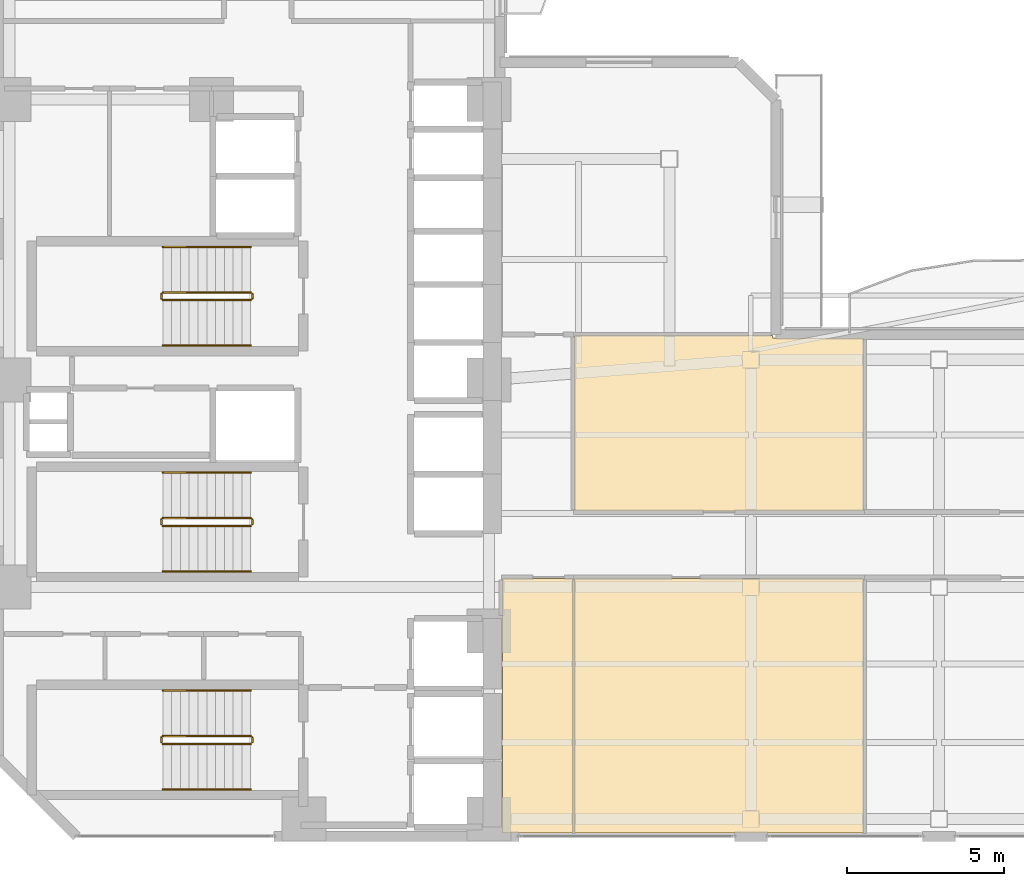
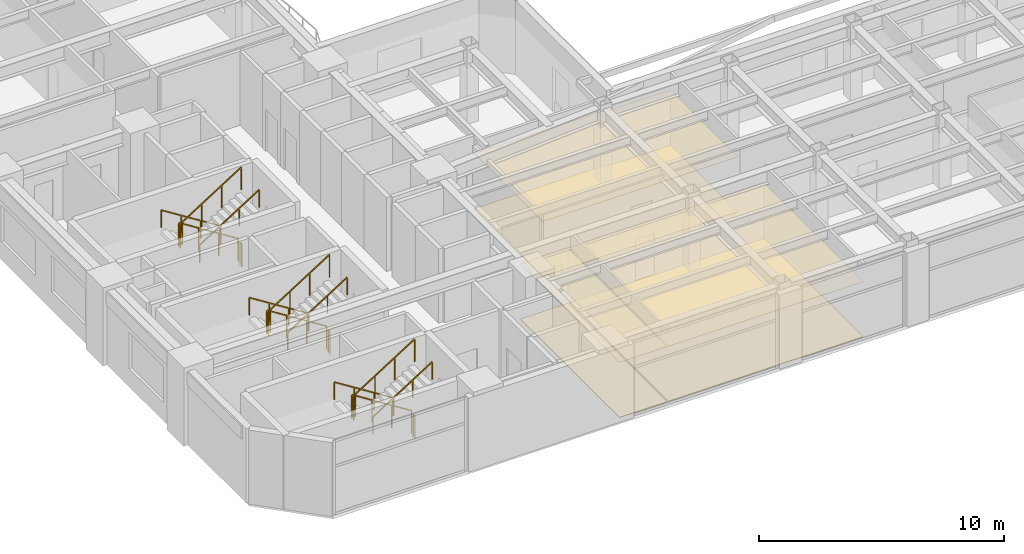
# One storey, part 14 of 17: 18 railings, 6 coverings.
"""IFC4 building model written with IfcOpenShell, lengths in metres."""

import ifcopenshell
import ifcopenshell.guid

model = None  # the IFC model being written
_history = None  # IfcOwnerHistory: only IFC2X3 demands one
_inside = {}  # id of a spatial element -> (the spatial element, [elements in it])
_under = {}  # id of a project, library or spatial element -> (it, [spatial elements below it])
_declared = {}  # id of a project -> (the project, [libraries it declares])
_typed = {}  # id of a type object -> (the type object, [elements of that type])
_made_of = {}  # id of a material, layer set ... -> (it, [elements and type objects made of it])


def new_model(schema):
    """Start an empty IFC model of exactly this schema.

    Asked for "IFC4X3", IfcOpenShell would pick the latest addendum, in which some entities
    have other attributes; the version numbers below select the first issue.
    IFC2X3 requires an IfcOwnerHistory on every rooted entity: one is made here for all.
    """
    global model, _history
    if schema == "IFC4X3":
        model = ifcopenshell.file(schema_version=(4, 3, 0, 0))
    else:
        model = ifcopenshell.file(schema=schema)
    _inside.clear()
    _under.clear()
    _declared.clear()
    _typed.clear()
    _made_of.clear()
    _history = None
    if model.schema == "IFC2X3":
        org = make("IfcOrganization", Name="unknown")
        user = make(
            "IfcPersonAndOrganization",
            ThePerson=make("IfcPerson", FamilyName="unknown"),
            TheOrganization=org,
        )
        app = make(
            "IfcApplication",
            ApplicationDeveloper=org,
            Version="unknown",
            ApplicationFullName="unknown",
            ApplicationIdentifier="unknown",
        )
        _history = make(
            "IfcOwnerHistory",
            OwningUser=user,
            OwningApplication=app,
            ChangeAction="ADDED",
            CreationDate=0,
        )
    return model


def make(cls, **values):
    """One entity of the class cls with the attributes given. An attribute that is None is left unset."""
    return model.create_entity(
        cls, **{name: value for name, value in values.items() if value is not None}
    )


def rooted(cls, **values):
    """An entity with a GlobalId (a new one), such as an element, a storey or a relation."""
    return make(cls, GlobalId=ifcopenshell.guid.new(), OwnerHistory=_history, **values)


def si_unit(unit_type, name, prefix=None):
    """IfcSIUnit, for example si_unit("LENGTHUNIT", "METRE", prefix="MILLI")."""
    return make("IfcSIUnit", UnitType=unit_type, Prefix=prefix, Name=name)


def assignment(units):
    """IfcUnitAssignment: the units of a project."""
    return None if units is None else make("IfcUnitAssignment", Units=units)


def point(xyz):
    """IfcCartesianPoint."""
    return None if xyz is None else make("IfcCartesianPoint", Coordinates=xyz)


def direction(xyz):
    """IfcDirection."""
    return None if xyz is None else make("IfcDirection", DirectionRatios=xyz)


def frame(location, z_axis=None, x_axis=None):
    """IfcAxis2Placement3D, a coordinate frame: its origin and axes. An axis left out is left unset."""
    return make(
        "IfcAxis2Placement3D",
        Location=point(location),
        Axis=direction(z_axis),
        RefDirection=direction(x_axis),
    )


def frame_2d(location, x_axis=None):
    """IfcAxis2Placement2D, a coordinate frame in the plane: its origin and x axis."""
    return make(
        "IfcAxis2Placement2D", Location=point(location), RefDirection=direction(x_axis)
    )


def origin():
    """The frame at (0, 0, 0) with its axes left unset."""
    return frame((0.0, 0.0, 0.0))


def origin_2d():
    """The frame at (0, 0) in the plane with its x axis left unset."""
    return frame_2d((0.0, 0.0))


def place(relative_to, where):
    """IfcLocalPlacement: puts the frame where relative to a parent placement (None: the world)."""
    return make(
        "IfcLocalPlacement", PlacementRelTo=relative_to, RelativePlacement=where
    )


def context(
    kind, dimensions, precision=None, world=None, true_north=None, identifier=None
):
    """IfcGeometricRepresentationContext, for example the 3D "Model" context."""
    return make(
        "IfcGeometricRepresentationContext",
        ContextIdentifier=identifier,
        ContextType=kind,
        CoordinateSpaceDimension=dimensions,
        Precision=precision,
        WorldCoordinateSystem=world,
        TrueNorth=true_north,
    )


def subcontext(parent, identifier, kind, view, scale=None):
    """IfcGeometricRepresentationSubContext, for example "Body" below "Model"."""
    return make(
        "IfcGeometricRepresentationSubContext",
        ContextIdentifier=identifier,
        ContextType=kind,
        ParentContext=parent,
        TargetScale=scale,
        TargetView=view,
    )


def project(units=None, contexts=None):
    """IfcProject with its units and contexts."""
    return rooted(
        "IfcProject",
        Name="project",
        RepresentationContexts=contexts,
        UnitsInContext=assignment(units),
    )


def spatial(cls, under=None, at=None, **own):
    """A site, building, storey or space (cls), placed at a placement, below another one or the project."""
    s = rooted(cls, ObjectPlacement=at, **own)
    if under is not None:
        _under.setdefault(under.id(), (under, []))[1].append(s)
    return s


def polyline(points):
    """IfcPolyline through the points."""
    return make("IfcPolyline", Points=[point(p) for p in points])


def profile(cls, at=None, kind="AREA", **sizes):
    """A parametric profile (cls). Its sizes go by their IFC names, for example OverallWidth=200.0."""
    return make(cls, ProfileType=kind, Position=at, **sizes)


def rectangle(**sizes):
    """IfcRectangleProfileDef."""
    return profile("IfcRectangleProfileDef", **sizes)


def outline(outer, holes=None, kind="AREA"):
    """IfcArbitraryClosedProfileDef: a profile drawn as a closed curve; with holes, ...WithVoids."""
    if holes is None:
        return make("IfcArbitraryClosedProfileDef", ProfileType=kind, OuterCurve=outer)
    return make(
        "IfcArbitraryProfileDefWithVoids",
        ProfileType=kind,
        OuterCurve=outer,
        InnerCurves=holes,
    )


def extrude(swept, where, along, depth):
    """IfcExtrudedAreaSolid: the profile swept, set in the frame where, extruded along a direction by depth."""
    return make(
        "IfcExtrudedAreaSolid",
        SweptArea=swept,
        Position=where,
        ExtrudedDirection=direction(along),
        Depth=depth,
    )


def shape(context_of_items, identifier, shape_type, items):
    """IfcShapeRepresentation: the items that make up one representation, for example the "Body"."""
    return make(
        "IfcShapeRepresentation",
        ContextOfItems=context_of_items,
        RepresentationIdentifier=identifier,
        RepresentationType=shape_type,
        Items=items,
    )


def material(Name=None, Category=None):
    """IfcMaterial."""
    return make("IfcMaterial", Name=Name, Category=Category)


def layer(
    of_material, thickness, ventilated=None, Name=None, Category=None, Priority=None
):
    """IfcMaterialLayer: one layer of a wall or slab, of a material (None: an air gap)."""
    return make(
        "IfcMaterialLayer",
        Material=of_material,
        LayerThickness=thickness,
        IsVentilated=ventilated,
        Name=Name,
        Category=Category,
        Priority=Priority,
    )


def layer_set(layers, Name=None):
    """IfcMaterialLayerSet."""
    return make("IfcMaterialLayerSet", MaterialLayers=layers, LayerSetName=Name)


def made_of(thing, what):
    """Note that an element or type object is made of a material, layer set ...; save() writes the relation."""
    if what is not None:
        _made_of.setdefault(what.id(), (what, []))[1].append(thing)
    return thing


def type_object(cls, material=None, **own):
    """A type object (cls), such as IfcWallType, which elements share."""
    return made_of(rooted(cls, **own), material)


def element(
    cls,
    number,
    at=None,
    inside=None,
    cuts=None,
    type_object=None,
    material=None,
    context=None,
    identifier="Body",
    shape_type=None,
    held_by="IfcProductDefinitionShape",
    body=None,
    shapes=None,
    **own,
):
    """One element of the class cls, such as IfcWall. Its Tag is "e" and its number.

    at: its placement. inside: the storey or other place that contains it. cuts: it is an
    opening in that element (IfcRelVoidsElement). A single representation is given by context,
    identifier, shape_type and body (its items); several are given by shapes. held_by: the class
    of the entity that holds the representations. save() writes the other relations.
    """
    e = rooted(cls, Tag="e%d" % number, ObjectPlacement=at, **own)
    if body is not None:
        shapes = [shape(context, identifier, shape_type, body)]
    if shapes is not None:
        e.Representation = make(held_by, Representations=shapes)
    if inside is not None:
        _inside.setdefault(inside.id(), (inside, []))[1].append(e)
    if cuts is not None:
        rooted(
            "IfcRelVoidsElement", RelatingBuildingElement=cuts, RelatedOpeningElement=e
        )
    if type_object is not None:
        _typed.setdefault(type_object.id(), (type_object, []))[1].append(e)
    return made_of(e, material)


def aggregate(whole, parts):
    """IfcRelAggregates: a whole, such as a stair, and the parts it consists of."""
    return rooted("IfcRelAggregates", RelatingObject=whole, RelatedObjects=parts)


def save(model, path):
    """Write the relations noted so far, then the file.

    IfcRelAggregates (storeys below a building ...), IfcRelContainedInSpatialStructure (elements
    in a storey), IfcRelDefinesByType, IfcRelAssociatesMaterial and IfcRelDeclares: one each for
    every whole, place, type object, material and project.
    """
    for whole, parts in _under.values():
        aggregate(whole, parts)
    for where, things in _inside.values():
        rooted(
            "IfcRelContainedInSpatialStructure",
            RelatedElements=things,
            RelatingStructure=where,
        )
    for kind, things in _typed.values():
        rooted("IfcRelDefinesByType", RelatedObjects=things, RelatingType=kind)
    for what, things in _made_of.values():
        rooted("IfcRelAssociatesMaterial", RelatedObjects=things, RelatingMaterial=what)
    for by, libraries in _declared.values():
        rooted("IfcRelDeclares", RelatingContext=by, RelatedDefinitions=libraries)
    model.write(path)


model = new_model("IFC4")

# Units and contexts
model_context = context("Model", 3, precision=1e-05, world=origin(), true_north=direction((0.0, 1.0)))
body_context = subcontext(model_context, "Body", "Model", "MODEL_VIEW")
ifc_project = project(units=[si_unit("LENGTHUNIT", "METRE"), si_unit("AREAUNIT", "SQUARE_METRE"), si_unit("VOLUMEUNIT", "CUBIC_METRE"), si_unit("PLANEANGLEUNIT", "RADIAN"), si_unit("MASSUNIT", "GRAM", prefix="KILO")], contexts=[model_context])

# Site, building, storey
site_placement = place(None, origin())
site = spatial("IfcSite", under=ifc_project, at=site_placement, CompositionType="ELEMENT")
building_placement = place(site_placement, origin())
building = spatial("IfcBuilding", under=site, at=building_placement, Name="Mawjaban Terraces University", CompositionType="ELEMENT")
storey_placement = place(building_placement, frame((0.0, 0.0, 85.60009765625)))
storey = spatial("IfcBuildingStorey", under=building, at=storey_placement, Name="L20", CompositionType="ELEMENT", Elevation=85.60009765625)

# Coverings
ifc_material_1 = material(Name="Acoustic mineral fibre ceiling tile", Category="masonry")
ifc_layer_1 = layer(ifc_material_1, 0.02001953125)
ifc_layer_set_1 = layer_set([ifc_layer_1], Name="Acoustic mineral fibre ceiling tile")
covering_type_1 = type_object("IfcCoveringType", Name="AcousticMineralCeiling_20", PredefinedType="CEILING", material=ifc_layer_set_1)
covering_1_placement = place(storey_placement, frame((0.0, 0.0, 2.75)))
element("IfcCovering", 1, at=covering_1_placement, inside=storey, type_object=covering_type_1, Name="L20 Tutorial Room 1 Acoustic Ceiling", PredefinedType="CEILING", context=body_context, shape_type="SweptSolid", body=[
    extrude(outline(polyline([(38.080078125, 0.114990234375), (40.320068359375, 0.114990234375), (40.320068359375, 8.219970703125), (38.080078125, 8.219970703125), (38.080078125, 0.114990234375)])), origin(), (0.0, 0.0, 1.0), 0.02001953125),
])
covering_2_placement = place(storey_placement, frame((0.0, 0.0, 2.75)))
element("IfcCovering", 2, at=covering_2_placement, inside=storey, type_object=covering_type_1, Name="L20 Conference Room 2 Acoustic Ceiling", PredefinedType="CEILING", context=body_context, shape_type="SweptSolid", body=[
    extrude(outline(polyline([(40.3798828125, 0.114990234375), (49.589111328125, 0.114990234375), (49.589111328125, 8.219970703125), (40.3798828125, 8.219970703125), (40.3798828125, 0.114990234375)])), origin(), (0.0, 0.0, 1.0), 0.02001953125),
])
covering_3_placement = place(storey_placement, frame((0.0, 0.0, 2.75)))
element("IfcCovering", 3, at=covering_3_placement, inside=storey, type_object=covering_type_1, Name="L20 Classroom 3 Acoustic Ceiling", PredefinedType="CEILING", context=body_context, shape_type="SweptSolid", body=[
    extrude(outline(polyline([(49.589111328125, 15.885009765625), (46.68505859375, 15.885009765625), (46.68505859375, 15.969970703125), (40.3798828125, 15.969970703125), (40.3798828125, 10.3798828125), (49.589111328125, 10.3798828125), (49.589111328125, 15.885009765625)])), origin(), (0.0, 0.0, 1.0), 0.02001953125),
])

# Railings
ifc_material_2 = material(Name="Brushed stainless steel 316", Category="steel")
railing_type_1 = type_object("IfcRailingType", Name="StairWallHandrail_900", PredefinedType="HANDRAIL", material=ifc_material_2)
railing_1_placement = place(storey_placement, frame((30.050048828125, 4.64990234375, 0.17724609375)))
element("IfcRailing", 4, at=railing_1_placement, inside=storey, type_object=railing_type_1, Name="L20 ST-1 stair handrail 1", PredefinedType="HANDRAIL", context=body_context, shape_type="SweptSolid", body=[
    extrude(rectangle(XDim=0.048095703125, YDim=0.048095703125, at=origin_2d()), frame((0.0, 0.0, 0.8759765625), z_axis=(-0.844908973607, 0.0, 0.534910110503), x_axis=(0.0, -1.0, 0.0)), (0.0, 0.0, 1.0), 3.31396484375),
    extrude(rectangle(XDim=0.0419921875, YDim=0.0419921875, at=origin_2d()), origin(), (0.0, 0.0, 1.0), 0.851806640625),
    extrude(rectangle(XDim=0.0419921875, YDim=0.0419921875, at=origin_2d()), frame((-0.933349609375, 0.0, 0.5908203125)), (0.0, 0.0, 1.0), 0.851806640625),
    extrude(rectangle(XDim=0.0419921875, YDim=0.0419921875, at=origin_2d()), frame((-1.86669921875, 0.0, 1.181884765625)), (0.0, 0.0, 1.0), 0.851806640625),
    extrude(rectangle(XDim=0.0419921875, YDim=0.0419921875, at=origin_2d()), frame((-2.800048828125, 0.0, 1.772705078125)), (0.0, 0.0, 1.0), 0.851806640625),
])
railing_2_placement = place(storey_placement, frame((27.25, 1.5, 2.127197265625)))
element("IfcRailing", 5, at=railing_2_placement, inside=storey, type_object=railing_type_1, Name="L20 ST-1 stair handrail 2", PredefinedType="HANDRAIL", context=body_context, shape_type="SweptSolid", body=[
    extrude(rectangle(XDim=0.048095703125, YDim=0.048095703125, at=origin_2d()), frame((0.0, 0.0, 0.8759765625), z_axis=(0.844908973607, 0.0, 0.534910110503), x_axis=(0.0, 1.0, 0.0)), (0.0, 0.0, 1.0), 3.31396484375),
    extrude(rectangle(XDim=0.0419921875, YDim=0.0419921875, at=origin_2d()), origin(), (0.0, 0.0, 1.0), 0.851806640625),
    extrude(rectangle(XDim=0.0419921875, YDim=0.0419921875, at=origin_2d()), frame((0.933349609375, 0.0, 0.5908203125)), (0.0, 0.0, 1.0), 0.851806640625),
    extrude(rectangle(XDim=0.0419921875, YDim=0.0419921875, at=origin_2d()), frame((1.86669921875, 0.0, 1.181884765625)), (0.0, 0.0, 1.0), 0.851806640625),
    extrude(rectangle(XDim=0.0419921875, YDim=0.0419921875, at=origin_2d()), frame((2.800048828125, 0.0, 1.772705078125)), (0.0, 0.0, 1.0), 0.851806640625),
])
railing_3_placement = place(storey_placement, frame((30.050048828125, 18.800048828125, 0.17724609375)))
element("IfcRailing", 6, at=railing_3_placement, inside=storey, type_object=railing_type_1, Name="L20 ST-2 stair handrail 1", PredefinedType="HANDRAIL", context=body_context, shape_type="SweptSolid", body=[
    extrude(rectangle(XDim=0.048095703125, YDim=0.048095703125, at=origin_2d()), frame((0.0, 0.0, 0.8759765625), z_axis=(-0.844908973607, 0.0, 0.534910110503), x_axis=(0.0, -1.0, 0.0)), (0.0, 0.0, 1.0), 3.31396484375),
    extrude(rectangle(XDim=0.0419921875, YDim=0.0419921875, at=origin_2d()), origin(), (0.0, 0.0, 1.0), 0.851806640625),
    extrude(rectangle(XDim=0.0419921875, YDim=0.0419921875, at=origin_2d()), frame((-0.933349609375, 0.0, 0.5908203125)), (0.0, 0.0, 1.0), 0.851806640625),
    extrude(rectangle(XDim=0.0419921875, YDim=0.0419921875, at=origin_2d()), frame((-1.86669921875, 0.0, 1.181884765625)), (0.0, 0.0, 1.0), 0.851806640625),
    extrude(rectangle(XDim=0.0419921875, YDim=0.0419921875, at=origin_2d()), frame((-2.800048828125, 0.0, 1.772705078125)), (0.0, 0.0, 1.0), 0.851806640625),
])
railing_4_placement = place(storey_placement, frame((27.25, 15.64990234375, 2.127197265625)))
element("IfcRailing", 7, at=railing_4_placement, inside=storey, type_object=railing_type_1, Name="L20 ST-2 stair handrail 2", PredefinedType="HANDRAIL", context=body_context, shape_type="SweptSolid", body=[
    extrude(rectangle(XDim=0.048095703125, YDim=0.048095703125, at=origin_2d()), frame((0.0, 0.0, 0.8759765625), z_axis=(0.844908973607, 0.0, 0.534910110503), x_axis=(0.0, 1.0, 0.0)), (0.0, 0.0, 1.0), 3.31396484375),
    extrude(rectangle(XDim=0.0419921875, YDim=0.0419921875, at=origin_2d()), origin(), (0.0, 0.0, 1.0), 0.851806640625),
    extrude(rectangle(XDim=0.0419921875, YDim=0.0419921875, at=origin_2d()), frame((0.933349609375, 0.0, 0.5908203125)), (0.0, 0.0, 1.0), 0.851806640625),
    extrude(rectangle(XDim=0.0419921875, YDim=0.0419921875, at=origin_2d()), frame((1.86669921875, 0.0, 1.181884765625)), (0.0, 0.0, 1.0), 0.851806640625),
    extrude(rectangle(XDim=0.0419921875, YDim=0.0419921875, at=origin_2d()), frame((2.800048828125, 0.0, 1.772705078125)), (0.0, 0.0, 1.0), 0.851806640625),
])
railing_5_placement = place(storey_placement, frame((30.050048828125, 11.60009765625, 0.17724609375)))
element("IfcRailing", 8, at=railing_5_placement, inside=storey, type_object=railing_type_1, Name="L20 ST-3 stair handrail 1", PredefinedType="HANDRAIL", context=body_context, shape_type="SweptSolid", body=[
    extrude(rectangle(XDim=0.048095703125, YDim=0.048095703125, at=origin_2d()), frame((0.0, 0.0, 0.8759765625), z_axis=(-0.844908973607, 0.0, 0.534910110503), x_axis=(0.0, -1.0, 0.0)), (0.0, 0.0, 1.0), 3.31396484375),
    extrude(rectangle(XDim=0.0419921875, YDim=0.0419921875, at=origin_2d()), origin(), (0.0, 0.0, 1.0), 0.851806640625),
    extrude(rectangle(XDim=0.0419921875, YDim=0.0419921875, at=origin_2d()), frame((-0.933349609375, 0.0, 0.5908203125)), (0.0, 0.0, 1.0), 0.851806640625),
    extrude(rectangle(XDim=0.0419921875, YDim=0.0419921875, at=origin_2d()), frame((-1.86669921875, 0.0, 1.181884765625)), (0.0, 0.0, 1.0), 0.851806640625),
    extrude(rectangle(XDim=0.0419921875, YDim=0.0419921875, at=origin_2d()), frame((-2.800048828125, 0.0, 1.772705078125)), (0.0, 0.0, 1.0), 0.851806640625),
])
railing_6_placement = place(storey_placement, frame((27.25, 8.449951171875, 2.127197265625)))
element("IfcRailing", 9, at=railing_6_placement, inside=storey, type_object=railing_type_1, Name="L20 ST-3 stair handrail 2", PredefinedType="HANDRAIL", context=body_context, shape_type="SweptSolid", body=[
    extrude(rectangle(XDim=0.048095703125, YDim=0.048095703125, at=origin_2d()), frame((0.0, 0.0, 0.8759765625), z_axis=(0.844908973607, 0.0, 0.534910110503), x_axis=(0.0, 1.0, 0.0)), (0.0, 0.0, 1.0), 3.31396484375),
    extrude(rectangle(XDim=0.0419921875, YDim=0.0419921875, at=origin_2d()), origin(), (0.0, 0.0, 1.0), 0.851806640625),
    extrude(rectangle(XDim=0.0419921875, YDim=0.0419921875, at=origin_2d()), frame((0.933349609375, 0.0, 0.5908203125)), (0.0, 0.0, 1.0), 0.851806640625),
    extrude(rectangle(XDim=0.0419921875, YDim=0.0419921875, at=origin_2d()), frame((1.86669921875, 0.0, 1.181884765625)), (0.0, 0.0, 1.0), 0.851806640625),
    extrude(rectangle(XDim=0.0419921875, YDim=0.0419921875, at=origin_2d()), frame((2.800048828125, 0.0, 1.772705078125)), (0.0, 0.0, 1.0), 0.851806640625),
])
ifc_material_3 = material(Name="Galvanised painted steel S355", Category="steel")
railing_type_2 = type_object("IfcRailingType", Name="StairWellGuard_1150", PredefinedType="BALUSTRADE", material=ifc_material_3)
railing_7_placement = place(storey_placement, frame((30.050048828125, 3.199951171875, 0.17724609375)))
element("IfcRailing", 10, at=railing_7_placement, inside=storey, type_object=railing_type_2, Name="L20 ST-1 stair guard 1", PredefinedType="BALUSTRADE", context=body_context, shape_type="SweptSolid", body=[
    extrude(rectangle(XDim=0.048095703125, YDim=0.048095703125, at=origin_2d()), frame((0.0, 0.0, 1.1259765625), z_axis=(-0.844908973607, 0.0, 0.534910110503), x_axis=(0.0, -1.0, 0.0)), (0.0, 0.0, 1.0), 3.31396484375),
    extrude(rectangle(XDim=0.0419921875, YDim=0.0419921875, at=origin_2d()), origin(), (0.0, 0.0, 1.0), 1.101806640625),
    extrude(rectangle(XDim=0.0419921875, YDim=0.0419921875, at=origin_2d()), frame((-0.933349609375, 0.0, 0.5908203125)), (0.0, 0.0, 1.0), 1.101806640625),
    extrude(rectangle(XDim=0.0419921875, YDim=0.0419921875, at=origin_2d()), frame((-1.86669921875, 0.0, 1.181884765625)), (0.0, 0.0, 1.0), 1.101806640625),
    extrude(rectangle(XDim=0.0419921875, YDim=0.0419921875, at=origin_2d()), frame((-2.800048828125, 0.0, 1.772705078125)), (0.0, 0.0, 1.0), 1.101806640625),
])
railing_8_placement = place(storey_placement, frame((27.199951171875, 3.14990234375, 1.949951171875)))
element("IfcRailing", 11, at=railing_8_placement, inside=storey, type_object=railing_type_2, Name="L20 ST-1 stair guard 2", PredefinedType="BALUSTRADE", context=body_context, shape_type="SweptSolid", body=[
    extrude(rectangle(XDim=0.048095703125, YDim=0.048095703125, at=origin_2d()), frame((0.0, 0.0, 1.1259765625), z_axis=(0.0, -1.0, 0.0), x_axis=(1.0, 0.0, 0.0)), (0.0, 0.0, 1.0), 0.14990234375),
    extrude(rectangle(XDim=0.0419921875, YDim=0.0419921875, at=origin_2d()), origin(), (0.0, 0.0, 1.0), 1.101806640625),
    extrude(rectangle(XDim=0.0419921875, YDim=0.0419921875, at=origin_2d()), frame((0.0, -0.14990234375, 0.0)), (0.0, 0.0, 1.0), 1.101806640625),
])
railing_9_placement = place(storey_placement, frame((27.25, 2.949951171875, 2.127197265625)))
element("IfcRailing", 12, at=railing_9_placement, inside=storey, type_object=railing_type_2, Name="L20 ST-1 stair guard 3", PredefinedType="BALUSTRADE", context=body_context, shape_type="SweptSolid", body=[
    extrude(rectangle(XDim=0.048095703125, YDim=0.048095703125, at=origin_2d()), frame((0.0, 0.0, 1.1259765625), z_axis=(0.844908973607, 0.0, 0.534910110503), x_axis=(0.0, 1.0, 0.0)), (0.0, 0.0, 1.0), 3.31396484375),
    extrude(rectangle(XDim=0.0419921875, YDim=0.0419921875, at=origin_2d()), origin(), (0.0, 0.0, 1.0), 1.101806640625),
    extrude(rectangle(XDim=0.0419921875, YDim=0.0419921875, at=origin_2d()), frame((0.933349609375, 0.0, 0.5908203125)), (0.0, 0.0, 1.0), 1.101806640625),
    extrude(rectangle(XDim=0.0419921875, YDim=0.0419921875, at=origin_2d()), frame((1.86669921875, 0.0, 1.181884765625)), (0.0, 0.0, 1.0), 1.101806640625),
    extrude(rectangle(XDim=0.0419921875, YDim=0.0419921875, at=origin_2d()), frame((2.800048828125, 0.0, 1.772705078125)), (0.0, 0.0, 1.0), 1.101806640625),
])
railing_10_placement = place(storey_placement, frame((30.10009765625, 3.14990234375, 0.0)))
element("IfcRailing", 13, at=railing_10_placement, inside=storey, type_object=railing_type_2, Name="L20 ST-1 stair guard 4", PredefinedType="BALUSTRADE", context=body_context, shape_type="SweptSolid", body=[
    extrude(rectangle(XDim=0.048095703125, YDim=0.048095703125, at=origin_2d()), frame((0.0, 0.0, 1.1259765625), z_axis=(0.0, -1.0, 0.0), x_axis=(1.0, 0.0, 0.0)), (0.0, 0.0, 1.0), 0.14990234375),
    extrude(rectangle(XDim=0.0419921875, YDim=0.0419921875, at=origin_2d()), origin(), (0.0, 0.0, 1.0), 1.101806640625),
    extrude(rectangle(XDim=0.0419921875, YDim=0.0419921875, at=origin_2d()), frame((0.0, -0.14990234375, 0.0)), (0.0, 0.0, 1.0), 1.101806640625),
])
railing_11_placement = place(storey_placement, frame((30.050048828125, 17.35009765625, 0.17724609375)))
element("IfcRailing", 14, at=railing_11_placement, inside=storey, type_object=railing_type_2, Name="L20 ST-2 stair guard 1", PredefinedType="BALUSTRADE", context=body_context, shape_type="SweptSolid", body=[
    extrude(rectangle(XDim=0.048095703125, YDim=0.048095703125, at=origin_2d()), frame((0.0, 0.0, 1.1259765625), z_axis=(-0.844908973607, 0.0, 0.534910110503), x_axis=(0.0, -1.0, 0.0)), (0.0, 0.0, 1.0), 3.31396484375),
    extrude(rectangle(XDim=0.0419921875, YDim=0.0419921875, at=origin_2d()), origin(), (0.0, 0.0, 1.0), 1.101806640625),
    extrude(rectangle(XDim=0.0419921875, YDim=0.0419921875, at=origin_2d()), frame((-0.933349609375, 0.0, 0.5908203125)), (0.0, 0.0, 1.0), 1.101806640625),
    extrude(rectangle(XDim=0.0419921875, YDim=0.0419921875, at=origin_2d()), frame((-1.86669921875, 0.0, 1.181884765625)), (0.0, 0.0, 1.0), 1.101806640625),
    extrude(rectangle(XDim=0.0419921875, YDim=0.0419921875, at=origin_2d()), frame((-2.800048828125, 0.0, 1.772705078125)), (0.0, 0.0, 1.0), 1.101806640625),
])
railing_12_placement = place(storey_placement, frame((27.199951171875, 17.300048828125, 1.949951171875)))
element("IfcRailing", 15, at=railing_12_placement, inside=storey, type_object=railing_type_2, Name="L20 ST-2 stair guard 2", PredefinedType="BALUSTRADE", context=body_context, shape_type="SweptSolid", body=[
    extrude(rectangle(XDim=0.048095703125, YDim=0.048095703125, at=origin_2d()), frame((0.0, 0.0, 1.1259765625), z_axis=(0.0, -1.0, 0.0), x_axis=(1.0, 0.0, 0.0)), (0.0, 0.0, 1.0), 0.150146484375),
    extrude(rectangle(XDim=0.0419921875, YDim=0.0419921875, at=origin_2d()), origin(), (0.0, 0.0, 1.0), 1.101806640625),
    extrude(rectangle(XDim=0.0419921875, YDim=0.0419921875, at=origin_2d()), frame((0.0, -0.150146484375, 0.0)), (0.0, 0.0, 1.0), 1.101806640625),
])
railing_13_placement = place(storey_placement, frame((27.25, 17.10009765625, 2.127197265625)))
element("IfcRailing", 16, at=railing_13_placement, inside=storey, type_object=railing_type_2, Name="L20 ST-2 stair guard 3", PredefinedType="BALUSTRADE", context=body_context, shape_type="SweptSolid", body=[
    extrude(rectangle(XDim=0.048095703125, YDim=0.048095703125, at=origin_2d()), frame((0.0, 0.0, 1.1259765625), z_axis=(0.844908973607, 0.0, 0.534910110503), x_axis=(0.0, 1.0, 0.0)), (0.0, 0.0, 1.0), 3.31396484375),
    extrude(rectangle(XDim=0.0419921875, YDim=0.0419921875, at=origin_2d()), origin(), (0.0, 0.0, 1.0), 1.101806640625),
    extrude(rectangle(XDim=0.0419921875, YDim=0.0419921875, at=origin_2d()), frame((0.933349609375, 0.0, 0.5908203125)), (0.0, 0.0, 1.0), 1.101806640625),
    extrude(rectangle(XDim=0.0419921875, YDim=0.0419921875, at=origin_2d()), frame((1.86669921875, 0.0, 1.181884765625)), (0.0, 0.0, 1.0), 1.101806640625),
    extrude(rectangle(XDim=0.0419921875, YDim=0.0419921875, at=origin_2d()), frame((2.800048828125, 0.0, 1.772705078125)), (0.0, 0.0, 1.0), 1.101806640625),
])
railing_14_placement = place(storey_placement, frame((30.10009765625, 17.300048828125, 0.0)))
element("IfcRailing", 17, at=railing_14_placement, inside=storey, type_object=railing_type_2, Name="L20 ST-2 stair guard 4", PredefinedType="BALUSTRADE", context=body_context, shape_type="SweptSolid", body=[
    extrude(rectangle(XDim=0.048095703125, YDim=0.048095703125, at=origin_2d()), frame((0.0, 0.0, 1.1259765625), z_axis=(0.0, -1.0, 0.0), x_axis=(1.0, 0.0, 0.0)), (0.0, 0.0, 1.0), 0.150146484375),
    extrude(rectangle(XDim=0.0419921875, YDim=0.0419921875, at=origin_2d()), origin(), (0.0, 0.0, 1.0), 1.101806640625),
    extrude(rectangle(XDim=0.0419921875, YDim=0.0419921875, at=origin_2d()), frame((0.0, -0.150146484375, 0.0)), (0.0, 0.0, 1.0), 1.101806640625),
])
railing_15_placement = place(storey_placement, frame((30.050048828125, 10.14990234375, 0.17724609375)))
element("IfcRailing", 18, at=railing_15_placement, inside=storey, type_object=railing_type_2, Name="L20 ST-3 stair guard 1", PredefinedType="BALUSTRADE", context=body_context, shape_type="SweptSolid", body=[
    extrude(rectangle(XDim=0.048095703125, YDim=0.048095703125, at=origin_2d()), frame((0.0, 0.0, 1.1259765625), z_axis=(-0.844908973607, 0.0, 0.534910110503), x_axis=(0.0, -1.0, 0.0)), (0.0, 0.0, 1.0), 3.31396484375),
    extrude(rectangle(XDim=0.0419921875, YDim=0.0419921875, at=origin_2d()), origin(), (0.0, 0.0, 1.0), 1.101806640625),
    extrude(rectangle(XDim=0.0419921875, YDim=0.0419921875, at=origin_2d()), frame((-0.933349609375, 0.0, 0.5908203125)), (0.0, 0.0, 1.0), 1.101806640625),
    extrude(rectangle(XDim=0.0419921875, YDim=0.0419921875, at=origin_2d()), frame((-1.86669921875, 0.0, 1.181884765625)), (0.0, 0.0, 1.0), 1.101806640625),
    extrude(rectangle(XDim=0.0419921875, YDim=0.0419921875, at=origin_2d()), frame((-2.800048828125, 0.0, 1.772705078125)), (0.0, 0.0, 1.0), 1.101806640625),
])
railing_16_placement = place(storey_placement, frame((27.199951171875, 10.10009765625, 1.949951171875)))
element("IfcRailing", 19, at=railing_16_placement, inside=storey, type_object=railing_type_2, Name="L20 ST-3 stair guard 2", PredefinedType="BALUSTRADE", context=body_context, shape_type="SweptSolid", body=[
    extrude(rectangle(XDim=0.048095703125, YDim=0.048095703125, at=origin_2d()), frame((0.0, 0.0, 1.1259765625), z_axis=(0.0, -1.0, 0.0), x_axis=(1.0, 0.0, 0.0)), (0.0, 0.0, 1.0), 0.150146484375),
    extrude(rectangle(XDim=0.0419921875, YDim=0.0419921875, at=origin_2d()), origin(), (0.0, 0.0, 1.0), 1.101806640625),
    extrude(rectangle(XDim=0.0419921875, YDim=0.0419921875, at=origin_2d()), frame((0.0, -0.150146484375, 0.0)), (0.0, 0.0, 1.0), 1.101806640625),
])
railing_17_placement = place(storey_placement, frame((27.25, 9.89990234375, 2.127197265625)))
element("IfcRailing", 20, at=railing_17_placement, inside=storey, type_object=railing_type_2, Name="L20 ST-3 stair guard 3", PredefinedType="BALUSTRADE", context=body_context, shape_type="SweptSolid", body=[
    extrude(rectangle(XDim=0.048095703125, YDim=0.048095703125, at=origin_2d()), frame((0.0, 0.0, 1.1259765625), z_axis=(0.844908973607, 0.0, 0.534910110503), x_axis=(0.0, 1.0, 0.0)), (0.0, 0.0, 1.0), 3.31396484375),
    extrude(rectangle(XDim=0.0419921875, YDim=0.0419921875, at=origin_2d()), origin(), (0.0, 0.0, 1.0), 1.101806640625),
    extrude(rectangle(XDim=0.0419921875, YDim=0.0419921875, at=origin_2d()), frame((0.933349609375, 0.0, 0.5908203125)), (0.0, 0.0, 1.0), 1.101806640625),
    extrude(rectangle(XDim=0.0419921875, YDim=0.0419921875, at=origin_2d()), frame((1.86669921875, 0.0, 1.181884765625)), (0.0, 0.0, 1.0), 1.101806640625),
    extrude(rectangle(XDim=0.0419921875, YDim=0.0419921875, at=origin_2d()), frame((2.800048828125, 0.0, 1.772705078125)), (0.0, 0.0, 1.0), 1.101806640625),
])
railing_18_placement = place(storey_placement, frame((30.10009765625, 10.10009765625, 0.0)))
element("IfcRailing", 21, at=railing_18_placement, inside=storey, type_object=railing_type_2, Name="L20 ST-3 stair guard 4", PredefinedType="BALUSTRADE", context=body_context, shape_type="SweptSolid", body=[
    extrude(rectangle(XDim=0.048095703125, YDim=0.048095703125, at=origin_2d()), frame((0.0, 0.0, 1.1259765625), z_axis=(0.0, -1.0, 0.0), x_axis=(1.0, 0.0, 0.0)), (0.0, 0.0, 1.0), 0.150146484375),
    extrude(rectangle(XDim=0.0419921875, YDim=0.0419921875, at=origin_2d()), origin(), (0.0, 0.0, 1.0), 1.101806640625),
    extrude(rectangle(XDim=0.0419921875, YDim=0.0419921875, at=origin_2d()), frame((0.0, -0.150146484375, 0.0)), (0.0, 0.0, 1.0), 1.101806640625),
])

# Coverings
ifc_material_4 = material(Name="Polished Hijazi granite terrazzo flooring", Category="masonry")
ifc_layer_2 = layer(ifc_material_4, 0.02490234375)
ifc_layer_set_2 = layer_set([ifc_layer_2], Name="Polished Hijazi granite terrazzo flooring")
covering_type_2 = type_object("IfcCoveringType", Name="TerrazzoConcourseFlooring_25", PredefinedType="FLOORING", material=ifc_layer_set_2)
covering_4_placement = place(storey_placement, origin())
element("IfcCovering", 22, at=covering_4_placement, inside=storey, type_object=covering_type_2, Name="L20 Tutorial Room 1 Terrazzo Flooring", PredefinedType="FLOORING", context=body_context, shape_type="SweptSolid", body=[
    extrude(outline(polyline([(38.080078125, 0.114990234375), (40.320068359375, 0.114990234375), (40.320068359375, 8.219970703125), (38.080078125, 8.219970703125), (38.080078125, 0.114990234375)])), origin(), (0.0, 0.0, 1.0), 0.02490234375),
])
covering_5_placement = place(storey_placement, origin())
element("IfcCovering", 23, at=covering_5_placement, inside=storey, type_object=covering_type_2, Name="L20 Conference Room 2 Terrazzo Flooring", PredefinedType="FLOORING", context=body_context, shape_type="SweptSolid", body=[
    extrude(outline(polyline([(40.3798828125, 0.114990234375), (49.589111328125, 0.114990234375), (49.589111328125, 8.219970703125), (40.3798828125, 8.219970703125), (40.3798828125, 0.114990234375)])), origin(), (0.0, 0.0, 1.0), 0.02490234375),
])
covering_6_placement = place(storey_placement, origin())
element("IfcCovering", 24, at=covering_6_placement, inside=storey, type_object=covering_type_2, Name="L20 Classroom 3 Terrazzo Flooring", PredefinedType="FLOORING", context=body_context, shape_type="SweptSolid", body=[
    extrude(outline(polyline([(49.589111328125, 15.885009765625), (46.68505859375, 15.885009765625), (46.68505859375, 15.969970703125), (40.3798828125, 15.969970703125), (40.3798828125, 10.3798828125), (49.589111328125, 10.3798828125), (49.589111328125, 15.885009765625)])), origin(), (0.0, 0.0, 1.0), 0.02490234375),
])

save(model, "model.ifc")
